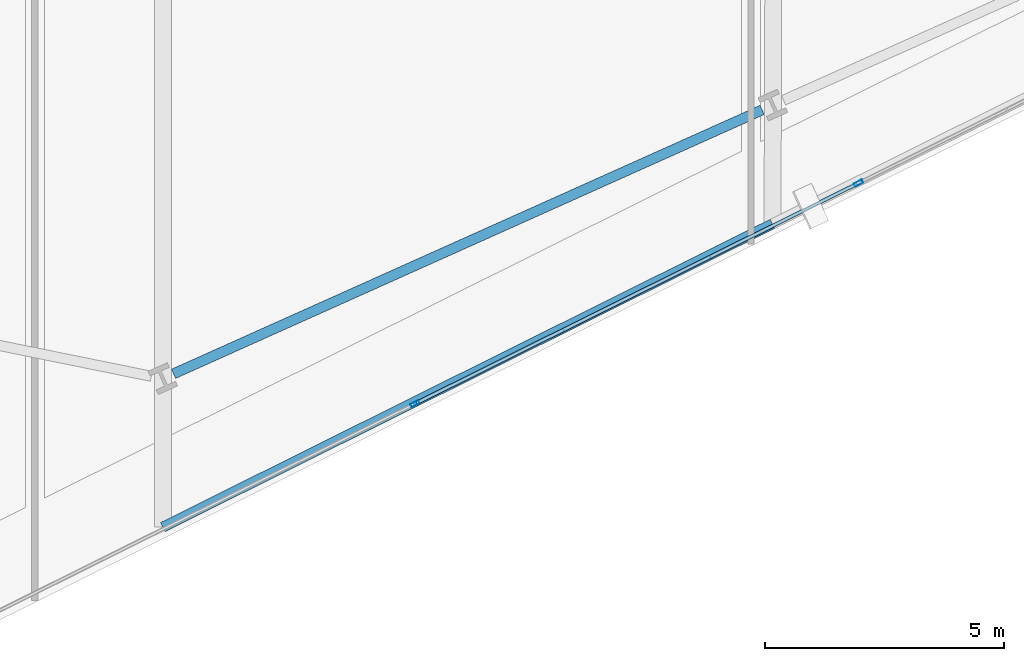
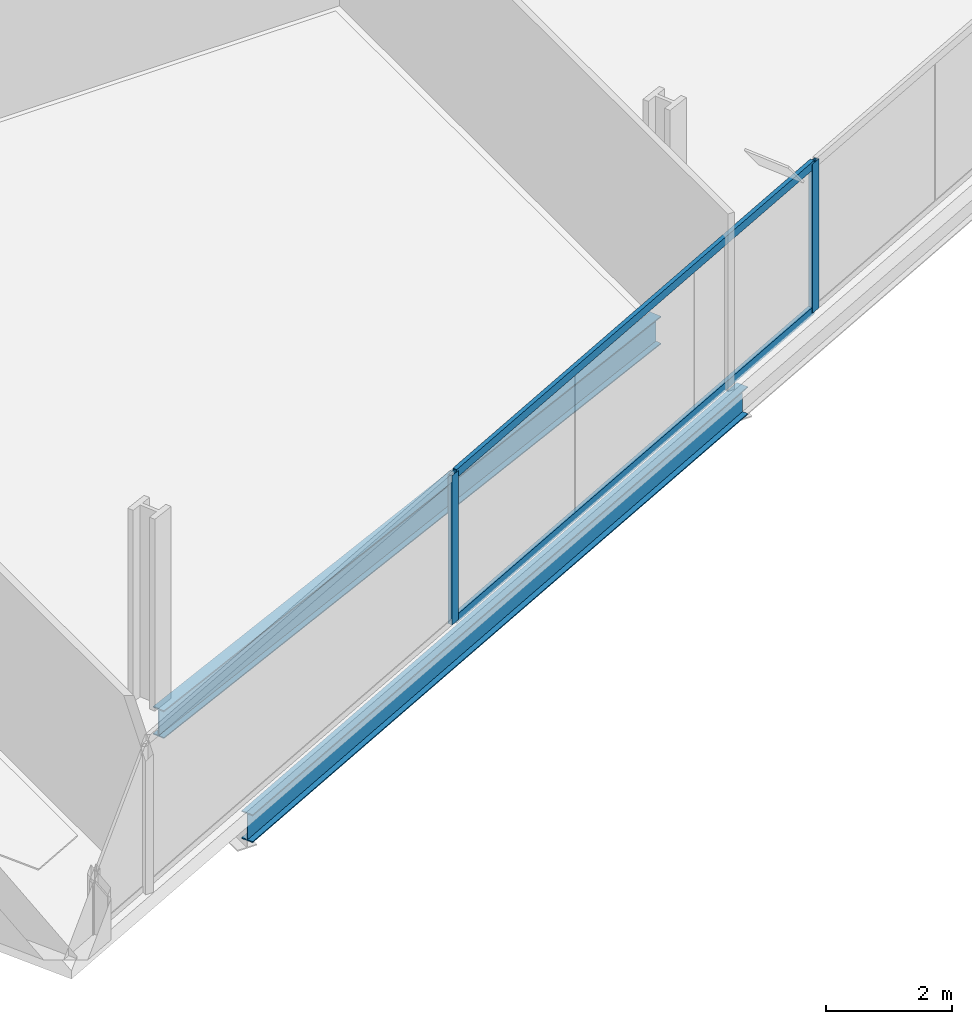
# One storey, part 7 of 35: 4 members, 2 beams, 1 element without a shape of its own.
"""IFC4 building model written with IfcOpenShell, lengths in metres."""

from ifc_helpers import new_model, si_unit, direction, frame, origin, origin_2d, place, context, subcontext, project, spatial, hollow_rectangle, i_section, extrude, material, material_profile, profile_set, type_object, element, aggregate, save


model = new_model("IFC4")

# Units and contexts
model_context = context("Model", 3, precision=1e-05, world=origin(), true_north=direction((0.0, 1.0)))
body_context = subcontext(model_context, "Body", "Model", "MODEL_VIEW")
ifc_project = project(units=[si_unit("LENGTHUNIT", "METRE"), si_unit("AREAUNIT", "SQUARE_METRE"), si_unit("VOLUMEUNIT", "CUBIC_METRE"), si_unit("PLANEANGLEUNIT", "RADIAN"), si_unit("MASSUNIT", "GRAM", prefix="KILO")], contexts=[model_context])

# Site, building, storey
site_placement = place(None, origin())
site = spatial("IfcSite", under=ifc_project, at=site_placement, CompositionType="ELEMENT")
building_placement = place(site_placement, origin())
building = spatial("IfcBuilding", under=site, at=building_placement, Name="Haldenkirk Collegiate Tower", CompositionType="ELEMENT")
storey_placement = place(building_placement, frame((0.0, 0.0, 116.699951171875)))
storey = spatial("IfcBuildingStorey", under=building, at=storey_placement, Name="L28", CompositionType="ELEMENT", Elevation=116.699951171875)

# Beams
ifc_material_1 = material(Name="Steel ASTM A992 Grade 50", Category="steel")
ifc_material_profile_1 = material_profile(ifc_material_1, i_section(OverallWidth=0.2119140625, OverallDepth=0.5439453125, WebThickness=0.01318359375, FlangeThickness=0.021240234375, at=origin_2d()), Name="W21X83")
ifc_profile_set_1 = profile_set([ifc_material_profile_1], Name="Steel ASTM A992 Grade 50")
beam_type = type_object("IfcBeamType", Name="BM-SPANDREL-W21X83", PredefinedType="SPANDREL", material=ifc_profile_set_1)
beam_1_placement = place(storey_placement, frame((32.405517578125, 0.3876953125, -0.572021484375), z_axis=(0.912476765144, 0.409128528793, 0.0), x_axis=(-0.409128528793, 0.912476765144, 0.0)))
element("IfcBeam", 1, at=beam_1_placement, inside=storey, type_object=beam_type, Name="L28 perimeter spandrel beam 02", PredefinedType="SPANDREL", context=body_context, shape_type="SweptSolid", body=[
    extrude(i_section(OverallWidth=0.2119140625, OverallDepth=0.5439453125, WebThickness=0.01318359375, FlangeThickness=0.021240234375, at=origin_2d()), origin(), (0.0, 0.0, 1.0), 13.512939453125),
])
beam_2_placement = place(storey_placement, frame((32.181396484375, -2.822998046875, -0.572021484375), z_axis=(0.895325719337, 0.445412007352, 0.0), x_axis=(-0.445412007352, 0.895325719337, 0.0)))
element("IfcBeam", 2, at=beam_2_placement, inside=storey, type_object=beam_type, Name="L28 outer facade edge beam 1A", PredefinedType="SPANDREL", context=body_context, shape_type="SweptSolid", body=[
    extrude(i_section(OverallWidth=0.2119140625, OverallDepth=0.5439453125, WebThickness=0.01318359375, FlangeThickness=0.021240234375, at=origin_2d()), origin(), (0.0, 0.0, 1.0), 14.26318359375),
])

# Curtain wall, members
ifc_material_2 = material(Name="Anodised architectural bronze aluminium", Category="aluminium")
curtain_wall_type = type_object("IfcCurtainWallType", Name="CW-SYS2-CONCAVE", PredefinedType="USERDEFINED", material=ifc_material_2)
curtain_wall_placement = place(storey_placement, origin())
curtain_wall = element("IfcCurtainWall", 3, at=curtain_wall_placement, inside=storey, type_object=curtain_wall_type, Name="L28 South concave recessed bronze-anodised curtain wall", ObjectType="UNITISED CURTAIN WALL", PredefinedType="USERDEFINED")
ifc_material_profile_2 = material_profile(ifc_material_2, hollow_rectangle(XDim=0.074951171875, YDim=0.18994140625, WallThickness=0.0048828125, at=origin_2d()), Name="CW-MUL-02")
ifc_profile_set_2 = profile_set([ifc_material_profile_2], Name="Anodised architectural bronze aluminium")
member_type_1 = type_object("IfcMemberType", Name="CW-MUL-02", PredefinedType="MULLION", material=ifc_profile_set_2)
member_1_placement = place(storey_placement, frame((46.754638671875, 4.382568359375, 0.0), z_axis=(0.0, 0.0, 1.0), x_axis=(0.445415099364, -0.895324181098, 0.0)))
member_1 = element("IfcMember", 4, at=member_1_placement, type_object=member_type_1, Name="CW-02 mullion 3", PredefinedType="MULLION", context=body_context, shape_type="SweptSolid", body=[
    extrude(hollow_rectangle(XDim=0.074951171875, YDim=0.18994140625, WallThickness=0.0048828125, at=origin_2d()), origin(), (0.0, 0.0, 1.0), 2.901123046875),
])
member_2_placement = place(storey_placement, frame((37.465576171875, -0.23876953125, 0.0), z_axis=(0.0, 0.0, 1.0), x_axis=(0.445415099364, -0.895324181098, 0.0)))
member_2 = element("IfcMember", 5, at=member_2_placement, type_object=member_type_1, Name="CW-02 mullion 4", PredefinedType="MULLION", context=body_context, shape_type="SweptSolid", body=[
    extrude(hollow_rectangle(XDim=0.074951171875, YDim=0.18994140625, WallThickness=0.0048828125, at=origin_2d()), origin(), (0.0, 0.0, 1.0), 2.901123046875),
])
ifc_material_profile_3 = material_profile(ifc_material_2, hollow_rectangle(XDim=0.074951171875, YDim=0.159912109375, WallThickness=0.0048828125, at=origin_2d()), Name="CW-TRN-02")
ifc_profile_set_3 = profile_set([ifc_material_profile_3], Name="Anodised architectural bronze aluminium")
member_type_2 = type_object("IfcMemberType", Name="CW-TRN-02", PredefinedType="USERDEFINED", material=ifc_profile_set_3)
member_3_placement = place(storey_placement, frame((46.720947265625, 4.36572265625, 0.03759765625), z_axis=(-0.895326107332, -0.44541122744, 0.0), x_axis=(0.44541122744, -0.895326107332, 0.0)))
member_3 = element("IfcMember", 6, at=member_3_placement, type_object=member_type_2, Name="CW-02 transom 3.1", ObjectType="TRANSOM", PredefinedType="USERDEFINED", context=body_context, shape_type="SweptSolid", body=[
    extrude(hollow_rectangle(XDim=0.074951171875, YDim=0.159912109375, WallThickness=0.0048828125, at=origin_2d()), origin(), (0.0, 0.0, 1.0), 10.2998046875),
])
member_4_placement = place(storey_placement, frame((46.720947265625, 4.36572265625, 2.863525390625), z_axis=(-0.895326107332, -0.44541122744, 0.0), x_axis=(0.44541122744, -0.895326107332, 0.0)))
member_4 = element("IfcMember", 7, at=member_4_placement, type_object=member_type_2, Name="CW-02 transom 3.2", ObjectType="TRANSOM", PredefinedType="USERDEFINED", context=body_context, shape_type="SweptSolid", body=[
    extrude(hollow_rectangle(XDim=0.074951171875, YDim=0.159912109375, WallThickness=0.0048828125, at=origin_2d()), origin(), (0.0, 0.0, 1.0), 10.2998046875),
])
aggregate(curtain_wall, [member_1, member_2, member_3, member_4])

save(model, "model.ifc")
